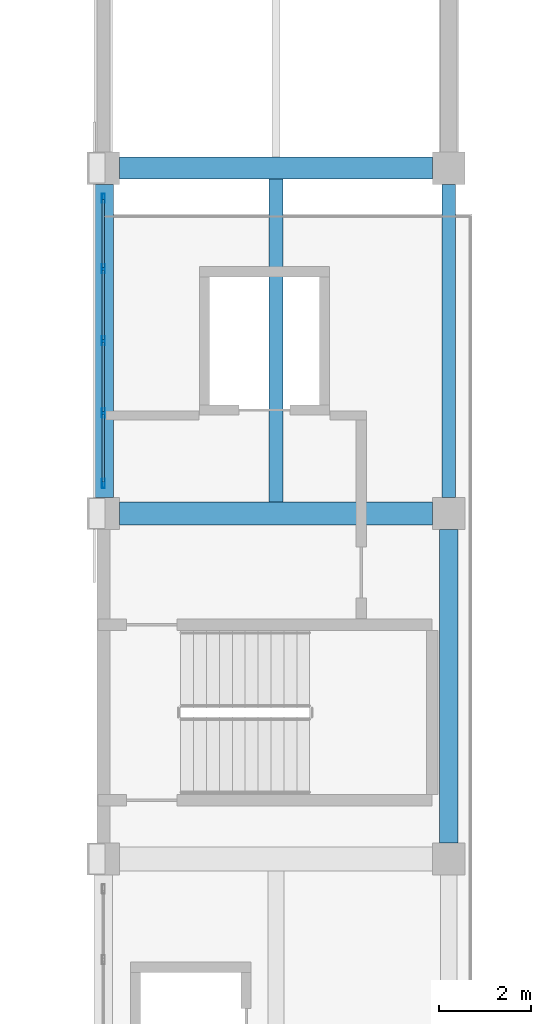
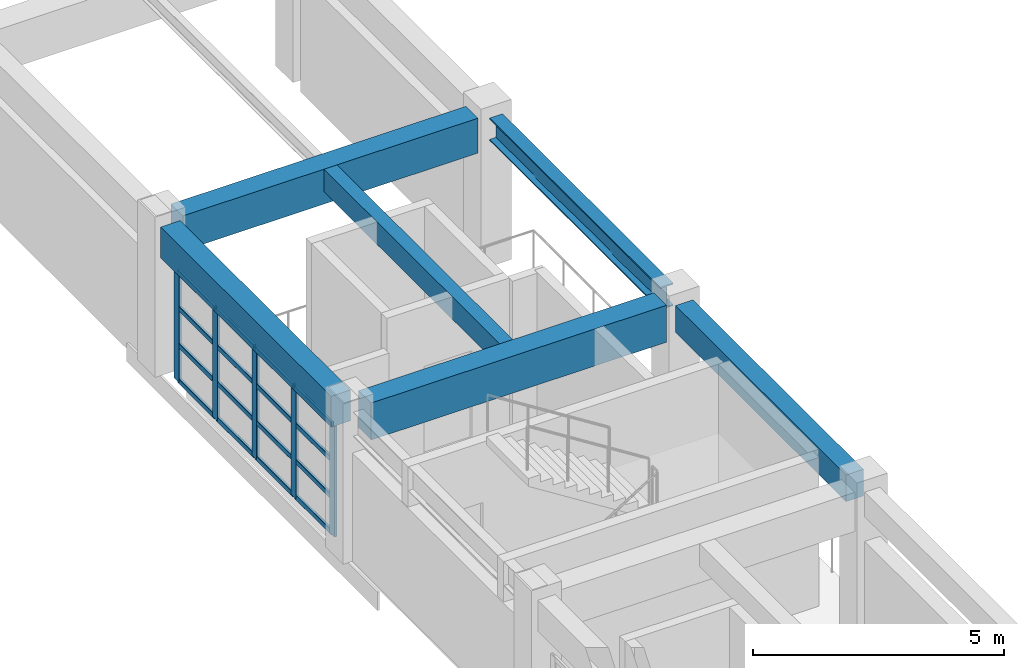
# One storey, part 23 of 82: 21 members, 6 beams, 1 element without a shape of its own.
"""IFC4 building model written with IfcOpenShell, lengths in metres."""

from ifc_helpers import new_model, si_unit, direction, frame, origin, origin_2d, place, context, subcontext, project, spatial, rectangle, hollow_rectangle, i_section, extrude, material, material_profile, profile_set, type_object, element, aggregate, save


model = new_model("IFC4")

# Units and contexts
model_context = context("Model", 3, precision=1e-05, world=origin(), true_north=direction((0.0, 1.0)))
body_context = subcontext(model_context, "Body", "Model", "MODEL_VIEW")
ifc_project = project(units=[si_unit("LENGTHUNIT", "METRE"), si_unit("AREAUNIT", "SQUARE_METRE"), si_unit("VOLUMEUNIT", "CUBIC_METRE"), si_unit("PLANEANGLEUNIT", "RADIAN"), si_unit("MASSUNIT", "GRAM", prefix="KILO")], contexts=[model_context])

# Site, building, storey
site_placement = place(None, origin())
site = spatial("IfcSite", under=ifc_project, at=site_placement, CompositionType="ELEMENT")
building_placement = place(site_placement, origin())
building = spatial("IfcBuilding", under=site, at=building_placement, Name="Qasida Concert Hall", CompositionType="ELEMENT")
storey_placement = place(building_placement, frame((0.0, 0.0, 17.10009765625)))
storey = spatial("IfcBuildingStorey", under=building, at=storey_placement, Name="L04", CompositionType="ELEMENT", Elevation=17.10009765625)

# Beams
ifc_material_1 = material(Name="Concrete C40/50", Category="concrete")
ifc_material_profile_1 = material_profile(ifc_material_1, rectangle(XDim=0.39990234375, YDim=0.64990234375, at=origin_2d()), Name="RC 400x650")
ifc_profile_set_1 = profile_set([ifc_material_profile_1], Name="Concrete C40/50")
beam_type_1 = type_object("IfcBeamType", Name="BM-B1", PredefinedType="BEAM", material=ifc_profile_set_1)
beam_1_placement = place(storey_placement, frame((60.0, 45.35009765625, 3.294921875), z_axis=(0.0, 1.0, 0.0), x_axis=(-1.0, 0.0, 0.0)))
element("IfcBeam", 1, at=beam_1_placement, inside=storey, type_object=beam_type_1, Name="L04 girder 1846", PredefinedType="BEAM", context=body_context, shape_type="SweptSolid", body=[
    extrude(rectangle(XDim=0.39990234375, YDim=0.64990234375, at=origin_2d()), origin(), (0.0, 0.0, 1.0), 6.7998046875),
])
ifc_material_2 = material(Name="Steel S355J2", Category="steel")
ifc_material_profile_2 = material_profile(ifc_material_2, i_section(OverallWidth=0.300048828125, OverallDepth=0.550048828125, WebThickness=0.014892578125, FlangeThickness=0.029052734375, FilletRadius=0.027099609375, at=origin_2d()), Name="HEB 550")
ifc_profile_set_2 = profile_set([ifc_material_profile_2], Name="Steel S355J2")
beam_type_2 = type_object("IfcBeamType", Name="BM-B12", PredefinedType="BEAM", material=ifc_profile_set_2)
beam_2_placement = place(storey_placement, frame((60.0, 52.85009765625, 3.344970703125), z_axis=(0.0, 1.0, 0.0), x_axis=(-1.0, 0.0, 0.0)))
element("IfcBeam", 2, at=beam_2_placement, inside=storey, type_object=beam_type_2, Name="L04 girder 1847", PredefinedType="BEAM", context=body_context, shape_type="SweptSolid", body=[
    extrude(i_section(OverallWidth=0.300048828125, OverallDepth=0.550048828125, WebThickness=0.014892578125, FlangeThickness=0.029052734375, FilletRadius=0.027099609375, at=origin_2d()), origin(), (0.0, 0.0, 1.0), 6.7998046875),
])
ifc_material_profile_3 = material_profile(ifc_material_1, rectangle(XDim=0.5, YDim=0.89990234375, at=origin_2d()), Name="RC 500x900")
ifc_profile_set_3 = profile_set([ifc_material_profile_3], Name="Concrete C40/50")
beam_type_3 = type_object("IfcBeamType", Name="BM-G1", PredefinedType="USERDEFINED", material=ifc_profile_set_3)
beam_3_placement = place(storey_placement, frame((52.85009765625, 52.5, 3.169921875), z_axis=(1.0, 0.0, 0.0), x_axis=(0.0, 1.0, 0.0)))
element("IfcBeam", 3, at=beam_3_placement, inside=storey, type_object=beam_type_3, Name="Primary girder 1819", ObjectType="GIRDER", PredefinedType="USERDEFINED", context=body_context, shape_type="SweptSolid", body=[
    extrude(rectangle(XDim=0.5, YDim=0.89990234375, at=origin_2d()), origin(), (0.0, 0.0, 1.0), 6.7998046875),
])
ifc_material_profile_4 = material_profile(ifc_material_1, rectangle(XDim=0.47998046875, YDim=0.85009765625, at=origin_2d()), Name="RC 480x850")
ifc_profile_set_4 = profile_set([ifc_material_profile_4], Name="Concrete C40/50")
beam_type_4 = type_object("IfcBeamType", Name="BM-G6", PredefinedType="USERDEFINED", material=ifc_profile_set_4)
beam_4_placement = place(storey_placement, frame((52.85009765625, 60.0, 3.19482421875), z_axis=(1.0, 0.0, 0.0), x_axis=(0.0, 1.0, 0.0)))
element("IfcBeam", 4, at=beam_4_placement, inside=storey, type_object=beam_type_4, Name="Primary girder 1821", ObjectType="GIRDER", PredefinedType="USERDEFINED", context=body_context, shape_type="SweptSolid", body=[
    extrude(rectangle(XDim=0.47998046875, YDim=0.85009765625, at=origin_2d()), origin(), (0.0, 0.0, 1.0), 6.7998046875),
])
ifc_material_profile_5 = material_profile(ifc_material_1, rectangle(XDim=0.300048828125, YDim=0.550048828125, at=origin_2d()), Name="RC 300x550")
ifc_profile_set_5 = profile_set([ifc_material_profile_5], Name="Concrete C40/50")
beam_type_5 = type_object("IfcBeamType", Name="BM-J1", PredefinedType="JOIST", material=ifc_profile_set_5)
beam_5_placement = place(storey_placement, frame((56.25, 52.75, 3.344970703125), z_axis=(0.0, 1.0, 0.0), x_axis=(-1.0, 0.0, 0.0)))
element("IfcBeam", 5, at=beam_5_placement, inside=storey, type_object=beam_type_5, Name="L04 secondary joist 1872", PredefinedType="JOIST", context=body_context, shape_type="SweptSolid", body=[
    extrude(rectangle(XDim=0.300048828125, YDim=0.550048828125, at=origin_2d()), origin(), (0.0, 0.0, 1.0), 7.010009765625),
])
ifc_material_profile_6 = material_profile(ifc_material_1, rectangle(XDim=0.449951171875, YDim=0.75, at=origin_2d()), Name="RC 450x750")
ifc_profile_set_6 = profile_set([ifc_material_profile_6], Name="Concrete C40/50")
beam_type_6 = type_object("IfcBeamType", Name="BM-SP4", PredefinedType="SPANDREL", material=ifc_profile_set_6)
beam_6_placement = place(storey_placement, frame((52.5, 52.85009765625, 3.244873046875), z_axis=(0.0, 1.0, 0.0), x_axis=(-1.0, 0.0, 0.0)))
element("IfcBeam", 6, at=beam_6_placement, inside=storey, type_object=beam_type_6, Name="L04 girder 1841", PredefinedType="SPANDREL", context=body_context, shape_type="SweptSolid", body=[
    extrude(rectangle(XDim=0.449951171875, YDim=0.75, at=origin_2d()), origin(), (0.0, 0.0, 1.0), 6.7998046875),
])

# Curtain wall, members
ifc_material_3 = material(Name="Architectural bronze-anodized aluminium and low-E glass", Category="aluminium")
curtain_wall_type = type_object("IfcCurtainWallType", Name="CW-11", PredefinedType="NOTDEFINED", material=ifc_material_3)
curtain_wall_placement = place(storey_placement, origin())
curtain_wall = element("IfcCurtainWall", 7, at=curtain_wall_placement, inside=storey, type_object=curtain_wall_type, Name="L04 curtain wall CW-11 0060", PredefinedType="NOTDEFINED")
ifc_material_4 = material(Name="Architectural bronze-anodized aluminium EN AW-6063", Category="aluminium")
ifc_material_profile_7 = material_profile(ifc_material_4, hollow_rectangle(XDim=0.06494140625, YDim=0.199951171875, WallThickness=0.0048828125, InnerFilletRadius=0.0048828125, OuterFilletRadius=0.010009765625, at=origin_2d()), Name="CWM 200x65x5")
ifc_profile_set_7 = profile_set([ifc_material_profile_7], Name="Architectural bronze-anodized aluminium EN AW-6063")
member_type_1 = type_object("IfcMemberType", Name="MB-CWM-2", PredefinedType="MULLION", material=ifc_profile_set_7)
member_1_placement = place(storey_placement, frame((52.5, 53.152587890625, 0.0), z_axis=(0.0, 0.0, 1.0), x_axis=(-1.0, 0.0, 0.0)))
member_1 = element("IfcMember", 8, at=member_1_placement, type_object=member_type_1, Name="CW-11 mullion 1", PredefinedType="MULLION", context=body_context, shape_type="SweptSolid", body=[
    extrude(hollow_rectangle(XDim=0.06494140625, YDim=0.199951171875, WallThickness=0.0048828125, InnerFilletRadius=0.0048828125, OuterFilletRadius=0.010009765625, at=origin_2d()), origin(), (0.0, 0.0, 1.0), 2.68994140625),
])
member_2_placement = place(storey_placement, frame((52.5, 54.68505859375, 0.0), z_axis=(0.0, 0.0, 1.0), x_axis=(-1.0, 0.0, 0.0)))
member_2 = element("IfcMember", 9, at=member_2_placement, type_object=member_type_1, Name="CW-11 mullion 2", PredefinedType="MULLION", context=body_context, shape_type="SweptSolid", body=[
    extrude(hollow_rectangle(XDim=0.06494140625, YDim=0.199951171875, WallThickness=0.0048828125, InnerFilletRadius=0.0048828125, OuterFilletRadius=0.010009765625, at=origin_2d()), origin(), (0.0, 0.0, 1.0), 2.68994140625),
])
member_3_placement = place(storey_placement, frame((52.5, 56.25, 0.0), z_axis=(0.0, 0.0, 1.0), x_axis=(-1.0, 0.0, 0.0)))
member_3 = element("IfcMember", 10, at=member_3_placement, type_object=member_type_1, Name="CW-11 mullion 3", PredefinedType="MULLION", context=body_context, shape_type="SweptSolid", body=[
    extrude(hollow_rectangle(XDim=0.06494140625, YDim=0.199951171875, WallThickness=0.0048828125, InnerFilletRadius=0.0048828125, OuterFilletRadius=0.010009765625, at=origin_2d()), origin(), (0.0, 0.0, 1.0), 2.68994140625),
])
member_4_placement = place(storey_placement, frame((52.5, 57.81494140625, 0.0), z_axis=(0.0, 0.0, 1.0), x_axis=(-1.0, 0.0, 0.0)))
member_4 = element("IfcMember", 11, at=member_4_placement, type_object=member_type_1, Name="CW-11 mullion 4", PredefinedType="MULLION", context=body_context, shape_type="SweptSolid", body=[
    extrude(hollow_rectangle(XDim=0.06494140625, YDim=0.199951171875, WallThickness=0.0048828125, InnerFilletRadius=0.0048828125, OuterFilletRadius=0.010009765625, at=origin_2d()), origin(), (0.0, 0.0, 1.0), 2.68994140625),
])
member_5_placement = place(storey_placement, frame((52.5, 59.347412109375, 0.0), z_axis=(0.0, 0.0, 1.0), x_axis=(-1.0, 0.0, 0.0)))
member_5 = element("IfcMember", 12, at=member_5_placement, type_object=member_type_1, Name="CW-11 mullion 5", PredefinedType="MULLION", context=body_context, shape_type="SweptSolid", body=[
    extrude(hollow_rectangle(XDim=0.06494140625, YDim=0.199951171875, WallThickness=0.0048828125, InnerFilletRadius=0.0048828125, OuterFilletRadius=0.010009765625, at=origin_2d()), origin(), (0.0, 0.0, 1.0), 2.68994140625),
])
ifc_material_profile_8 = material_profile(ifc_material_4, hollow_rectangle(XDim=0.06005859375, YDim=0.1201171875, WallThickness=0.00390625, InnerFilletRadius=0.00390625, OuterFilletRadius=0.008056640625, at=origin_2d()), Name="CWT 120x60x4")
ifc_profile_set_8 = profile_set([ifc_material_profile_8], Name="Architectural bronze-anodized aluminium EN AW-6063")
member_type_2 = type_object("IfcMemberType", Name="MB-CWT-2", PredefinedType="USERDEFINED", material=ifc_profile_set_8)
member_6_placement = place(storey_placement, frame((52.5, 53.18505859375, 0.02978515625), z_axis=(0.0, 1.0, 0.0), x_axis=(-1.0, 0.0, 0.0)))
member_6 = element("IfcMember", 13, at=member_6_placement, type_object=member_type_2, Name="CW-11 transom 1.1", ObjectType="TRANSOM", PredefinedType="USERDEFINED", context=body_context, shape_type="SweptSolid", body=[
    extrude(hollow_rectangle(XDim=0.06005859375, YDim=0.1201171875, WallThickness=0.00390625, InnerFilletRadius=0.00390625, OuterFilletRadius=0.008056640625, at=origin_2d()), origin(), (0.0, 0.0, 1.0), 1.467529296875),
])
member_7_placement = place(storey_placement, frame((52.5, 53.18505859375, 0.896484375), z_axis=(0.0, 1.0, 0.0), x_axis=(-1.0, 0.0, 0.0)))
member_7 = element("IfcMember", 14, at=member_7_placement, type_object=member_type_2, Name="CW-11 transom 1.2", ObjectType="TRANSOM", PredefinedType="USERDEFINED", context=body_context, shape_type="SweptSolid", body=[
    extrude(hollow_rectangle(XDim=0.06005859375, YDim=0.1201171875, WallThickness=0.00390625, InnerFilletRadius=0.00390625, OuterFilletRadius=0.008056640625, at=origin_2d()), origin(), (0.0, 0.0, 1.0), 1.467529296875),
])
member_8_placement = place(storey_placement, frame((52.5, 53.18505859375, 1.793212890625), z_axis=(0.0, 1.0, 0.0), x_axis=(-1.0, 0.0, 0.0)))
member_8 = element("IfcMember", 15, at=member_8_placement, type_object=member_type_2, Name="CW-11 transom 1.3", ObjectType="TRANSOM", PredefinedType="USERDEFINED", context=body_context, shape_type="SweptSolid", body=[
    extrude(hollow_rectangle(XDim=0.06005859375, YDim=0.1201171875, WallThickness=0.00390625, InnerFilletRadius=0.00390625, OuterFilletRadius=0.008056640625, at=origin_2d()), origin(), (0.0, 0.0, 1.0), 1.467529296875),
])
member_9_placement = place(storey_placement, frame((52.5, 53.18505859375, 2.659912109375), z_axis=(0.0, 1.0, 0.0), x_axis=(-1.0, 0.0, 0.0)))
member_9 = element("IfcMember", 16, at=member_9_placement, type_object=member_type_2, Name="CW-11 transom 1.4", ObjectType="TRANSOM", PredefinedType="USERDEFINED", context=body_context, shape_type="SweptSolid", body=[
    extrude(hollow_rectangle(XDim=0.06005859375, YDim=0.1201171875, WallThickness=0.00390625, InnerFilletRadius=0.00390625, OuterFilletRadius=0.008056640625, at=origin_2d()), origin(), (0.0, 0.0, 1.0), 1.467529296875),
])
member_10_placement = place(storey_placement, frame((52.5, 54.717529296875, 0.02978515625), z_axis=(0.0, 1.0, 0.0), x_axis=(-1.0, 0.0, 0.0)))
member_10 = element("IfcMember", 17, at=member_10_placement, type_object=member_type_2, Name="CW-11 transom 2.1", ObjectType="TRANSOM", PredefinedType="USERDEFINED", context=body_context, shape_type="SweptSolid", body=[
    extrude(hollow_rectangle(XDim=0.06005859375, YDim=0.1201171875, WallThickness=0.00390625, InnerFilletRadius=0.00390625, OuterFilletRadius=0.008056640625, at=origin_2d()), origin(), (0.0, 0.0, 1.0), 1.5),
])
member_11_placement = place(storey_placement, frame((52.5, 54.717529296875, 0.896484375), z_axis=(0.0, 1.0, 0.0), x_axis=(-1.0, 0.0, 0.0)))
member_11 = element("IfcMember", 18, at=member_11_placement, type_object=member_type_2, Name="CW-11 transom 2.2", ObjectType="TRANSOM", PredefinedType="USERDEFINED", context=body_context, shape_type="SweptSolid", body=[
    extrude(hollow_rectangle(XDim=0.06005859375, YDim=0.1201171875, WallThickness=0.00390625, InnerFilletRadius=0.00390625, OuterFilletRadius=0.008056640625, at=origin_2d()), origin(), (0.0, 0.0, 1.0), 1.5),
])
member_12_placement = place(storey_placement, frame((52.5, 54.717529296875, 1.793212890625), z_axis=(0.0, 1.0, 0.0), x_axis=(-1.0, 0.0, 0.0)))
member_12 = element("IfcMember", 19, at=member_12_placement, type_object=member_type_2, Name="CW-11 transom 2.3", ObjectType="TRANSOM", PredefinedType="USERDEFINED", context=body_context, shape_type="SweptSolid", body=[
    extrude(hollow_rectangle(XDim=0.06005859375, YDim=0.1201171875, WallThickness=0.00390625, InnerFilletRadius=0.00390625, OuterFilletRadius=0.008056640625, at=origin_2d()), origin(), (0.0, 0.0, 1.0), 1.5),
])
member_13_placement = place(storey_placement, frame((52.5, 54.717529296875, 2.659912109375), z_axis=(0.0, 1.0, 0.0), x_axis=(-1.0, 0.0, 0.0)))
member_13 = element("IfcMember", 20, at=member_13_placement, type_object=member_type_2, Name="CW-11 transom 2.4", ObjectType="TRANSOM", PredefinedType="USERDEFINED", context=body_context, shape_type="SweptSolid", body=[
    extrude(hollow_rectangle(XDim=0.06005859375, YDim=0.1201171875, WallThickness=0.00390625, InnerFilletRadius=0.00390625, OuterFilletRadius=0.008056640625, at=origin_2d()), origin(), (0.0, 0.0, 1.0), 1.5),
])
member_14_placement = place(storey_placement, frame((52.5, 56.282470703125, 0.02978515625), z_axis=(0.0, 1.0, 0.0), x_axis=(-1.0, 0.0, 0.0)))
member_14 = element("IfcMember", 21, at=member_14_placement, type_object=member_type_2, Name="CW-11 transom 3.1", ObjectType="TRANSOM", PredefinedType="USERDEFINED", context=body_context, shape_type="SweptSolid", body=[
    extrude(hollow_rectangle(XDim=0.06005859375, YDim=0.1201171875, WallThickness=0.00390625, InnerFilletRadius=0.00390625, OuterFilletRadius=0.008056640625, at=origin_2d()), origin(), (0.0, 0.0, 1.0), 1.5),
])
member_15_placement = place(storey_placement, frame((52.5, 56.282470703125, 0.896484375), z_axis=(0.0, 1.0, 0.0), x_axis=(-1.0, 0.0, 0.0)))
member_15 = element("IfcMember", 22, at=member_15_placement, type_object=member_type_2, Name="CW-11 transom 3.2", ObjectType="TRANSOM", PredefinedType="USERDEFINED", context=body_context, shape_type="SweptSolid", body=[
    extrude(hollow_rectangle(XDim=0.06005859375, YDim=0.1201171875, WallThickness=0.00390625, InnerFilletRadius=0.00390625, OuterFilletRadius=0.008056640625, at=origin_2d()), origin(), (0.0, 0.0, 1.0), 1.5),
])
member_16_placement = place(storey_placement, frame((52.5, 56.282470703125, 1.793212890625), z_axis=(0.0, 1.0, 0.0), x_axis=(-1.0, 0.0, 0.0)))
member_16 = element("IfcMember", 23, at=member_16_placement, type_object=member_type_2, Name="CW-11 transom 3.3", ObjectType="TRANSOM", PredefinedType="USERDEFINED", context=body_context, shape_type="SweptSolid", body=[
    extrude(hollow_rectangle(XDim=0.06005859375, YDim=0.1201171875, WallThickness=0.00390625, InnerFilletRadius=0.00390625, OuterFilletRadius=0.008056640625, at=origin_2d()), origin(), (0.0, 0.0, 1.0), 1.5),
])
member_17_placement = place(storey_placement, frame((52.5, 56.282470703125, 2.659912109375), z_axis=(0.0, 1.0, 0.0), x_axis=(-1.0, 0.0, 0.0)))
member_17 = element("IfcMember", 24, at=member_17_placement, type_object=member_type_2, Name="CW-11 transom 3.4", ObjectType="TRANSOM", PredefinedType="USERDEFINED", context=body_context, shape_type="SweptSolid", body=[
    extrude(hollow_rectangle(XDim=0.06005859375, YDim=0.1201171875, WallThickness=0.00390625, InnerFilletRadius=0.00390625, OuterFilletRadius=0.008056640625, at=origin_2d()), origin(), (0.0, 0.0, 1.0), 1.5),
])
member_18_placement = place(storey_placement, frame((52.5, 57.847412109375, 0.02978515625), z_axis=(0.0, 1.0, 0.0), x_axis=(-1.0, 0.0, 0.0)))
member_18 = element("IfcMember", 25, at=member_18_placement, type_object=member_type_2, Name="CW-11 transom 4.1", ObjectType="TRANSOM", PredefinedType="USERDEFINED", context=body_context, shape_type="SweptSolid", body=[
    extrude(hollow_rectangle(XDim=0.06005859375, YDim=0.1201171875, WallThickness=0.00390625, InnerFilletRadius=0.00390625, OuterFilletRadius=0.008056640625, at=origin_2d()), origin(), (0.0, 0.0, 1.0), 1.467529296875),
])
member_19_placement = place(storey_placement, frame((52.5, 57.847412109375, 0.896484375), z_axis=(0.0, 1.0, 0.0), x_axis=(-1.0, 0.0, 0.0)))
member_19 = element("IfcMember", 26, at=member_19_placement, type_object=member_type_2, Name="CW-11 transom 4.2", ObjectType="TRANSOM", PredefinedType="USERDEFINED", context=body_context, shape_type="SweptSolid", body=[
    extrude(hollow_rectangle(XDim=0.06005859375, YDim=0.1201171875, WallThickness=0.00390625, InnerFilletRadius=0.00390625, OuterFilletRadius=0.008056640625, at=origin_2d()), origin(), (0.0, 0.0, 1.0), 1.467529296875),
])
member_20_placement = place(storey_placement, frame((52.5, 57.847412109375, 1.793212890625), z_axis=(0.0, 1.0, 0.0), x_axis=(-1.0, 0.0, 0.0)))
member_20 = element("IfcMember", 27, at=member_20_placement, type_object=member_type_2, Name="CW-11 transom 4.3", ObjectType="TRANSOM", PredefinedType="USERDEFINED", context=body_context, shape_type="SweptSolid", body=[
    extrude(hollow_rectangle(XDim=0.06005859375, YDim=0.1201171875, WallThickness=0.00390625, InnerFilletRadius=0.00390625, OuterFilletRadius=0.008056640625, at=origin_2d()), origin(), (0.0, 0.0, 1.0), 1.467529296875),
])
member_21_placement = place(storey_placement, frame((52.5, 57.847412109375, 2.659912109375), z_axis=(0.0, 1.0, 0.0), x_axis=(-1.0, 0.0, 0.0)))
member_21 = element("IfcMember", 28, at=member_21_placement, type_object=member_type_2, Name="CW-11 transom 4.4", ObjectType="TRANSOM", PredefinedType="USERDEFINED", context=body_context, shape_type="SweptSolid", body=[
    extrude(hollow_rectangle(XDim=0.06005859375, YDim=0.1201171875, WallThickness=0.00390625, InnerFilletRadius=0.00390625, OuterFilletRadius=0.008056640625, at=origin_2d()), origin(), (0.0, 0.0, 1.0), 1.467529296875),
])
aggregate(curtain_wall, [member_1, member_2, member_3, member_4, member_5, member_6, member_7, member_8, member_9, member_10, member_11, member_12, member_13, member_14, member_15, member_16, member_17, member_18, member_19, member_20, member_21])

save(model, "model.ifc")
